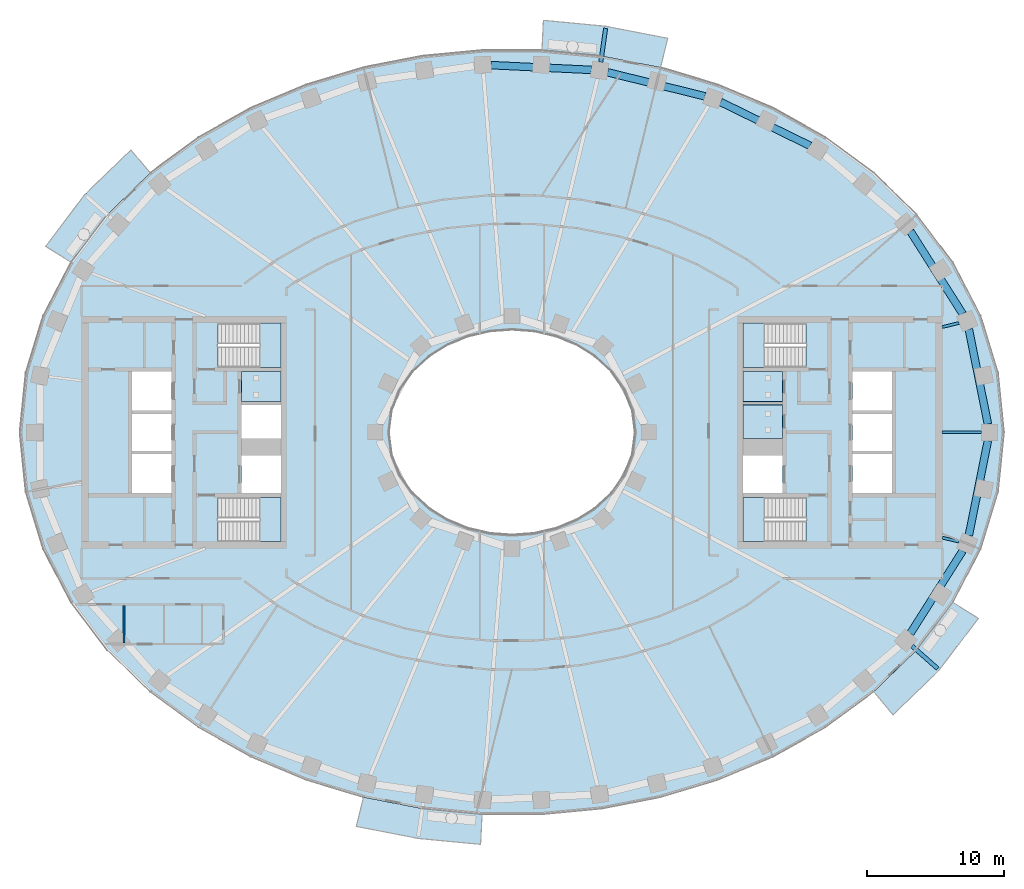
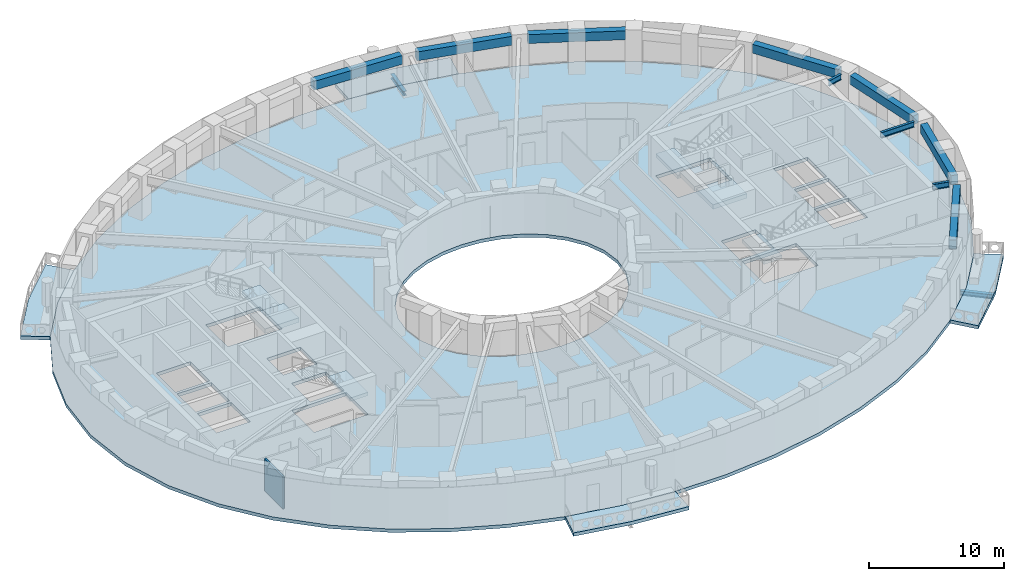
# One storey, part 2 of 16: 12 beams, 12 slabs, 1 wall, 4 elements without a shape of their own.
"""IFC4 building model written with IfcOpenShell, lengths in metres."""

from ifc_helpers import new_model, si_unit, direction, frame, frame_2d, origin, origin_2d, place, context, subcontext, project, spatial, polyline, rectangle, i_section, outline, extrude, material, layer, layer_set, material_profile, profile_set, type_object, element, aggregate, save


model = new_model("IFC4")

# Units and contexts
model_context = context("Model", 3, precision=1e-05, world=origin(), true_north=direction((0.0, 1.0)))
body_context = subcontext(model_context, "Body", "Model", "MODEL_VIEW")
ifc_project = project(units=[si_unit("LENGTHUNIT", "METRE"), si_unit("AREAUNIT", "SQUARE_METRE"), si_unit("VOLUMEUNIT", "CUBIC_METRE"), si_unit("PLANEANGLEUNIT", "RADIAN"), si_unit("MASSUNIT", "GRAM", prefix="KILO")], contexts=[model_context])

# Site, building, storey
site_placement = place(None, origin())
site = spatial("IfcSite", under=ifc_project, at=site_placement, CompositionType="ELEMENT")
building_placement = place(site_placement, origin())
building = spatial("IfcBuilding", under=site, at=building_placement, Name="Noorbagh Ring Tower", CompositionType="ELEMENT")
storey_placement = place(building_placement, frame((0.0, 0.0, 136.0)))
storey = spatial("IfcBuildingStorey", under=building, at=storey_placement, Name="L31", CompositionType="ELEMENT", Elevation=136.0)

# Beams
ifc_material_1 = material(Name="Steel S355", Category="steel")
ifc_material_profile_1 = material_profile(ifc_material_1, i_section(OverallWidth=0.300048828125, OverallDepth=0.39990234375, WebThickness=0.013427734375, FlangeThickness=0.02392578125, FilletRadius=0.027099609375, at=origin_2d()), Name="HEB400")
ifc_profile_set_1 = profile_set([ifc_material_profile_1], Name="Steel S355")
beam_type_1 = type_object("IfcBeamType", Name="STR-BALCONY-BRACKET-HEB400", PredefinedType="BEAM", material=ifc_profile_set_1)
beam_1_placement = place(storey_placement, frame((6.495849609375, 27.089599609375, -0.5), z_axis=(0.143035199344, 0.98971760202, 0.0), x_axis=(-0.98971760202, 0.143035199344, 0.0)))
element("IfcBeam", 1, at=beam_1_placement, inside=storey, type_object=beam_type_1, Name="Balcony bracket beam BN03", PredefinedType="BEAM", context=body_context, shape_type="SweptSolid", body=[
    extrude(i_section(OverallWidth=0.300048828125, OverallDepth=0.39990234375, WebThickness=0.013427734375, FlangeThickness=0.02392578125, FilletRadius=0.027099609375, at=origin_2d()), origin(), (0.0, 0.0, 1.0), 2.498779296875),
])
beam_2_placement = place(storey_placement, frame((29.27197265625, -15.63134765625, -0.5), z_axis=(0.749063543205, -0.662498157161, 0.0), x_axis=(0.662498157161, 0.749063543205, 0.0)))
element("IfcBeam", 2, at=beam_2_placement, inside=storey, type_object=beam_type_1, Name="Balcony bracket beam BS06", PredefinedType="BEAM", context=body_context, shape_type="SweptSolid", body=[
    extrude(i_section(OverallWidth=0.300048828125, OverallDepth=0.39990234375, WebThickness=0.013427734375, FlangeThickness=0.02392578125, FilletRadius=0.027099609375, at=origin_2d()), origin(), (0.0, 0.0, 1.0), 2.50439453125),
])
ifc_material_2 = material(Name="Steel S355", Category="steel")
ifc_material_profile_2 = material_profile(ifc_material_2, i_section(OverallWidth=0.199951171875, OverallDepth=0.5, WebThickness=0.01025390625, FlangeThickness=0.01611328125, FilletRadius=0.02099609375, at=origin_2d()), Name="IPE500")
ifc_profile_set_2 = profile_set([ifc_material_profile_2], Name="Steel S355")
beam_type_2 = type_object("IfcBeamType", Name="STR-RAD-IPE500", PredefinedType="BEAM", material=ifc_profile_set_2)
beam_3_placement = place(storey_placement, frame((34.339599609375, 0.0, 3.449951171875), z_axis=(-1.0, 0.0, 0.0), x_axis=(0.0, -1.0, 0.0)))
element("IfcBeam", 3, at=beam_3_placement, inside=storey, type_object=beam_type_2, Name="L31/bm/RD01", PredefinedType="BEAM", context=body_context, shape_type="SweptSolid", body=[
    extrude(i_section(OverallWidth=0.199951171875, OverallDepth=0.5, WebThickness=0.01025390625, FlangeThickness=0.01611328125, FilletRadius=0.02099609375, at=origin_2d()), origin(), (0.0, 0.0, 1.0), 2.859619140625),
])
for number, where, z_axis, x_axis, name in (
    (4, (32.710693359375, 8.00390625, 3.449951171875), (-0.971343647719, -0.237679443865, 0.0), (0.237679443865, -0.971343647719, 0.0), "L31/bm/RD03"),
    (5, (32.710693359375, -8.00390625, 3.449951171875), (-0.971343647719, 0.237679443865, 0.0), (-0.237679443865, -0.971343647719, 0.0), "L31/bm/RD45"),
):
    element("IfcBeam", number, at=place(storey_placement, frame(where, z_axis=z_axis, x_axis=x_axis)), inside=storey, type_object=beam_type_2, Name=name, PredefinedType="BEAM", context=body_context, shape_type="SweptSolid", body=[
        extrude(i_section(OverallWidth=0.199951171875, OverallDepth=0.5, WebThickness=0.01025390625, FlangeThickness=0.01611328125, FilletRadius=0.02099609375, at=origin_2d()), origin(), (0.0, 0.0, 1.0), 1.2666015625),
    ])
ifc_material_3 = material(Name="Concrete C40/50", Category="concrete")
ifc_material_profile_3 = material_profile(ifc_material_3, rectangle(XDim=0.550048828125, YDim=0.800048828125, at=origin_2d()), Name="RC550x800")
ifc_profile_set_3 = profile_set([ifc_material_profile_3], Name="Concrete C40/50")
beam_type_3 = type_object("IfcBeamType", Name="STR-SB-RC550x800-C40-50", PredefinedType="BEAM", material=ifc_profile_set_3)
beam_4_placement = place(storey_placement, frame((34.822998046875, 0.60546875, 3.300048828125), z_axis=(-0.197250205232, 0.98035317949, 0.0), x_axis=(-0.98035317949, -0.197250205232, 0.0)))
element("IfcBeam", 6, at=beam_4_placement, inside=storey, type_object=beam_type_3, Name="L31/bm/SP01", PredefinedType="BEAM", context=body_context, shape_type="SweptSolid", body=[
    extrude(rectangle(XDim=0.550048828125, YDim=0.800048828125, at=origin_2d()), origin(), (0.0, 0.0, 1.0), 7.07861328125),
])
beam_5_placement = place(storey_placement, frame((32.97607421875, 8.668701171875, 3.300048828125), z_axis=(-0.535178715716, 0.844738860385, 0.0), x_axis=(-0.844738860385, -0.535178715716, 0.0)))
element("IfcBeam", 7, at=beam_5_placement, inside=storey, type_object=beam_type_3, Name="L31/bm/SP03", PredefinedType="BEAM", context=body_context, shape_type="SweptSolid", body=[
    extrude(rectangle(XDim=0.550048828125, YDim=0.800048828125, at=origin_2d()), origin(), (0.0, 0.0, 1.0), 7.15478515625),
])
beam_6_placement = place(storey_placement, frame((21.814453125, 20.967529296875, 3.300048828125), z_axis=(-0.898391398986, 0.439195735667, 0.0), x_axis=(-0.439195735667, -0.898391398986, 0.0)))
element("IfcBeam", 8, at=beam_6_placement, inside=storey, type_object=beam_type_3, Name="L31/bm/SP07", PredefinedType="BEAM", context=body_context, shape_type="SweptSolid", body=[
    extrude(rectangle(XDim=0.550048828125, YDim=0.800048828125, at=origin_2d()), origin(), (0.0, 0.0, 1.0), 7.2998046875),
])
beam_7_placement = place(storey_placement, frame((14.118896484375, 24.586669921875, 3.300048828125), z_axis=(-0.970829859213, 0.239769440213, 0.0), x_axis=(-0.239769440213, -0.970829859213, 0.0)))
element("IfcBeam", 9, at=beam_7_placement, inside=storey, type_object=beam_type_3, Name="L31/bm/SP09", PredefinedType="BEAM", context=body_context, shape_type="SweptSolid", body=[
    extrude(rectangle(XDim=0.550048828125, YDim=0.800048828125, at=origin_2d()), origin(), (0.0, 0.0, 1.0), 7.333251953125),
])
beam_8_placement = place(storey_placement, frame((5.802001953125, 26.519775390625, 3.300048828125), z_axis=(-0.998868588799, 0.047555675902, 0.0), x_axis=(-0.047555675902, -0.998868588799, 0.0)))
element("IfcBeam", 10, at=beam_8_placement, inside=storey, type_object=beam_type_3, Name="L31/bm/SP11", PredefinedType="BEAM", context=body_context, shape_type="SweptSolid", body=[
    extrude(rectangle(XDim=0.550048828125, YDim=0.800048828125, at=origin_2d()), origin(), (0.0, 0.0, 1.0), 7.346435546875),
])
beam_9_placement = place(storey_placement, frame((29.14697265625, -14.712646484375, 3.300048828125), z_axis=(0.535178715716, 0.844738860385, 0.0), x_axis=(-0.844738860385, 0.535178715716, 0.0)))
element("IfcBeam", 11, at=beam_9_placement, inside=storey, type_object=beam_type_3, Name="L31/bm/SP43", PredefinedType="BEAM", context=body_context, shape_type="SweptSolid", body=[
    extrude(rectangle(XDim=0.550048828125, YDim=0.800048828125, at=origin_2d()), origin(), (0.0, 0.0, 1.0), 7.15478515625),
])
beam_10_placement = place(storey_placement, frame((33.4267578125, -7.544921875, 3.300048828125), z_axis=(0.197250205232, 0.98035317949, 0.0), x_axis=(-0.98035317949, 0.197250205232, 0.0)))
element("IfcBeam", 12, at=beam_10_placement, inside=storey, type_object=beam_type_3, Name="L31/bm/SP45", PredefinedType="BEAM", context=body_context, shape_type="SweptSolid", body=[
    extrude(rectangle(XDim=0.550048828125, YDim=0.800048828125, at=origin_2d()), origin(), (0.0, 0.0, 1.0), 7.07861328125),
])

# Slabs
ifc_material_4 = material(Name="Concrete C40/50", Category="concrete")
ifc_layer_1 = layer(ifc_material_4, 0.39990234375)
ifc_layer_set_1 = layer_set([ifc_layer_1], Name="Concrete C40/50")
slab_type_1 = type_object("IfcSlabType", Name="CORE-PIT-SLAB", PredefinedType="BASESLAB", material=ifc_layer_set_1)
slab_1_placement = place(storey_placement, frame((0.0, 0.0, 2.10009765625)))
element("IfcSlab", 13, at=slab_1_placement, inside=storey, type_object=slab_type_1, Name="Lift pit floor HR1", PredefinedType="BASESLAB", context=body_context, shape_type="SweptSolid", body=[
    extrude(outline(polyline([(-16.89990234375, 4.449951171875), (-19.800048828125, 4.449951171875), (-19.800048828125, 2.25), (-16.89990234375, 2.25), (-16.89990234375, 4.449951171875)])), origin(), (0.0, 0.0, 1.0), 0.39990234375),
])
slab_2_placement = place(storey_placement, frame((0.0, 0.0, 2.10009765625)))
element("IfcSlab", 14, at=slab_2_placement, inside=storey, type_object=slab_type_1, Name="Lift pit floor HR7", PredefinedType="BASESLAB", context=body_context, shape_type="SweptSolid", body=[
    extrude(outline(polyline([(16.89990234375, -0.449951171875), (19.800048828125, -0.449951171875), (19.800048828125, 2.0), (16.89990234375, 2.0), (16.89990234375, -0.449951171875)])), origin(), (0.0, 0.0, 1.0), 0.39990234375),
])
slab_3_placement = place(storey_placement, frame((0.0, 0.0, 2.10009765625)))
element("IfcSlab", 15, at=slab_3_placement, inside=storey, type_object=slab_type_1, Name="Lift pit floor HR8", PredefinedType="BASESLAB", context=body_context, shape_type="SweptSolid", body=[
    extrude(outline(polyline([(16.89990234375, 2.25), (19.800048828125, 2.25), (19.800048828125, 4.449951171875), (16.89990234375, 4.449951171875), (16.89990234375, 2.25)])), origin(), (0.0, 0.0, 1.0), 0.39990234375),
])

# Stair, slab
ifc_material_5 = material(Name="Concrete C40/50", Category="concrete")
stair_type = type_object("IfcStairType", Name="CORE-STAIR", PredefinedType="HALF_TURN_STAIR", material=ifc_material_5)
stair_1_placement = place(storey_placement, origin())
stair_1 = element("IfcStair", 16, at=stair_1_placement, inside=storey, type_object=stair_type, Name="L31 Exit stair ST1", PredefinedType="HALF_TURN_STAIR")
ifc_material_6 = material(Name="Concrete C40/50", Category="concrete")
ifc_layer_2 = layer(ifc_material_6, 0.300048828125)
ifc_layer_set_2 = layer_set([ifc_layer_2], Name="Concrete C40/50")
slab_type_2 = type_object("IfcSlabType", Name="CORE-STAIR-LANDING", PredefinedType="LANDING", material=ifc_layer_set_2)
slab_4_placement = place(storey_placement, frame((0.0, 0.0, 1.699951171875)))
slab_4 = element("IfcSlab", 17, at=slab_4_placement, type_object=slab_type_2, Name="ST1 landing 1", PredefinedType="LANDING", context=body_context, shape_type="SweptSolid", body=[
    extrude(outline(polyline([(-18.449951171875, 4.75), (-16.89990234375, 4.75), (-16.89990234375, 8.0), (-18.449951171875, 8.0), (-18.449951171875, 4.75)])), origin(), (0.0, 0.0, 1.0), 0.300048828125),
])
aggregate(stair_1, [slab_4])

stair_2_placement = place(storey_placement, origin())
stair_2 = element("IfcStair", 18, at=stair_2_placement, inside=storey, type_object=stair_type, Name="L31 Exit stair ST2", PredefinedType="HALF_TURN_STAIR")
slab_5_placement = place(storey_placement, frame((0.0, 0.0, 1.699951171875)))
slab_5 = element("IfcSlab", 19, at=slab_5_placement, type_object=slab_type_2, Name="ST2 landing 1", PredefinedType="LANDING", context=body_context, shape_type="SweptSolid", body=[
    extrude(outline(polyline([(-18.449951171875, -8.0), (-16.89990234375, -8.0), (-16.89990234375, -4.75), (-18.449951171875, -4.75), (-18.449951171875, -8.0)])), origin(), (0.0, 0.0, 1.0), 0.300048828125),
])
aggregate(stair_2, [slab_5])

stair_3_placement = place(storey_placement, origin())
stair_3 = element("IfcStair", 20, at=stair_3_placement, inside=storey, type_object=stair_type, Name="L31 Exit stair ST3", PredefinedType="HALF_TURN_STAIR")
slab_6_placement = place(storey_placement, frame((0.0, 0.0, 1.699951171875)))
slab_6 = element("IfcSlab", 21, at=slab_6_placement, type_object=slab_type_2, Name="ST3 landing 1", PredefinedType="LANDING", context=body_context, shape_type="SweptSolid", body=[
    extrude(outline(polyline([(18.449951171875, 8.0), (16.89990234375, 8.0), (16.89990234375, 4.75), (18.449951171875, 4.75), (18.449951171875, 8.0)])), origin(), (0.0, 0.0, 1.0), 0.300048828125),
])
aggregate(stair_3, [slab_6])

stair_4_placement = place(storey_placement, origin())
stair_4 = element("IfcStair", 22, at=stair_4_placement, inside=storey, type_object=stair_type, Name="L31 Exit stair ST4", PredefinedType="HALF_TURN_STAIR")
slab_7_placement = place(storey_placement, frame((0.0, 0.0, 1.699951171875)))
slab_7 = element("IfcSlab", 23, at=slab_7_placement, type_object=slab_type_2, Name="ST4 landing 1", PredefinedType="LANDING", context=body_context, shape_type="SweptSolid", body=[
    extrude(outline(polyline([(18.449951171875, -4.75), (16.89990234375, -4.75), (16.89990234375, -8.0), (18.449951171875, -8.0), (18.449951171875, -4.75)])), origin(), (0.0, 0.0, 1.0), 0.300048828125),
])
aggregate(stair_4, [slab_7])

# Slabs
ifc_material_7 = material(Name="Concrete C40/50", Category="concrete")
ifc_layer_3 = layer(ifc_material_7, 0.300048828125)
ifc_layer_set_3 = layer_set([ifc_layer_3], Name="Concrete C40/50")
slab_type_3 = type_object("IfcSlabType", Name="ENV-BALCONY DECK 300", PredefinedType="FLOOR", material=ifc_layer_set_3)
slab_8_placement = place(storey_placement, frame((0.0, 0.0, -0.300048828125)))
element("IfcSlab", 24, at=slab_8_placement, inside=storey, type_object=slab_type_3, Name="Tree balcony deck BN03", PredefinedType="FLOOR", context=body_context, shape_type="SweptSolid", body=[
    extrude(outline(polyline([(11.3935546875, 28.832763671875), (6.874755859375, 29.711181640625), (2.2978515625, 30.14794921875), (2.193115234375, 27.947998046875), (6.5595703125, 27.53125), (10.865234375, 26.6943359375), (11.3935546875, 28.832763671875)])), origin(), (0.0, 0.0, 1.0), 0.300048828125),
])
slab_9_placement = place(storey_placement, frame((0.0, 0.0, -0.300048828125)))
element("IfcSlab", 25, at=slab_9_placement, inside=storey, type_object=slab_type_3, Name="Tree balcony deck BN06", PredefinedType="FLOOR", context=body_context, shape_type="SweptSolid", body=[
    extrude(outline(polyline([(-27.888671875, 20.665771484375), (-31.26025390625, 17.389892578125), (-34.120361328125, 13.615966796875), (-32.255126953125, 12.434814453125), (-29.607666015625, 15.92822265625), (-26.463134765625, 18.983154296875), (-27.888671875, 20.665771484375)])), origin(), (0.0, 0.0, 1.0), 0.300048828125),
])
slab_10_placement = place(storey_placement, frame((0.0, 0.0, -0.300048828125)))
element("IfcSlab", 26, at=slab_10_placement, inside=storey, type_object=slab_type_3, Name="Tree balcony deck BS03", PredefinedType="FLOOR", context=body_context, shape_type="SweptSolid", body=[
    extrude(outline(polyline([(-11.3935546875, -28.832763671875), (-6.874755859375, -29.711181640625), (-2.2978515625, -30.14794921875), (-2.193115234375, -27.947998046875), (-6.5595703125, -27.53125), (-10.865234375, -26.6943359375), (-11.3935546875, -28.832763671875)])), origin(), (0.0, 0.0, 1.0), 0.300048828125),
])
slab_11_placement = place(storey_placement, frame((0.0, 0.0, -0.300048828125)))
element("IfcSlab", 27, at=slab_11_placement, inside=storey, type_object=slab_type_3, Name="Tree balcony deck BS06", PredefinedType="FLOOR", context=body_context, shape_type="SweptSolid", body=[
    extrude(outline(polyline([(27.888671875, -20.665771484375), (31.26025390625, -17.389892578125), (34.120361328125, -13.615966796875), (32.255126953125, -12.434814453125), (29.607666015625, -15.92822265625), (26.463134765625, -18.983154296875), (27.888671875, -20.665771484375)])), origin(), (0.0, 0.0, 1.0), 0.300048828125),
])
ifc_material_8 = material(Name="Concrete C40/50", Category="concrete")
ifc_layer_4 = layer(ifc_material_8, 0.300048828125)
ifc_layer_set_4 = layer_set([ifc_layer_4], Name="Concrete C40/50")
slab_type_4 = type_object("IfcSlabType", Name="STR-FLOOR-DECK-300", PredefinedType="FLOOR", material=ifc_layer_set_4)
slab_12_placement = place(storey_placement, frame((0.0, 0.0, -0.300048828125)))
element("IfcSlab", 28, at=slab_12_placement, inside=storey, type_object=slab_type_4, Name="L31/slab/1", PredefinedType="FLOOR", context=body_context, shape_type="SweptSolid", body=[
    extrude(outline(polyline([(36.0, 0.0), (35.56103515625, 4.358642578125), (34.281005859375, 8.548828125), (32.255126953125, 12.434814453125), (29.607666015625, 15.92822265625), (26.463134765625, 18.983154296875), (22.9326171875, 21.583740234375), (19.108154296875, 23.730224609375), (15.0654296875, 25.430419921875), (10.865234375, 26.6943359375), (6.5595703125, 27.53125), (2.193115234375, 27.947998046875), (-2.193115234375, 27.947998046875), (-6.5595703125, 27.53125), (-10.865234375, 26.6943359375), (-15.0654296875, 25.430419921875), (-19.108154296875, 23.730224609375), (-22.9326171875, 21.583740234375), (-26.463134765625, 18.983154296875), (-29.607666015625, 15.92822265625), (-32.255126953125, 12.434814453125), (-34.281005859375, 8.548828125), (-35.56103515625, 4.358642578125), (-36.0, 0.0), (-35.56103515625, -4.358642578125), (-34.281005859375, -8.548828125), (-32.255126953125, -12.434814453125), (-29.607666015625, -15.92822265625), (-26.463134765625, -18.983154296875), (-22.9326171875, -21.583740234375), (-19.108154296875, -23.730224609375), (-15.0654296875, -25.430419921875), (-10.865234375, -26.6943359375), (-6.5595703125, -27.53125), (-2.193115234375, -27.947998046875), (2.193115234375, -27.947998046875), (6.5595703125, -27.53125), (10.865234375, -26.6943359375), (15.0654296875, -25.430419921875), (19.108154296875, -23.730224609375), (22.9326171875, -21.583740234375), (26.463134765625, -18.983154296875), (29.607666015625, -15.92822265625), (32.255126953125, -12.434814453125), (34.281005859375, -8.548828125), (35.56103515625, -4.358642578125), (36.0, 0.0)]), holes=[polyline([(24.89990234375, -1.60009765625), (27.800048828125, -1.60009765625), (27.800048828125, -4.449951171875), (24.89990234375, -4.449951171875), (24.89990234375, -1.60009765625)]), polyline([(24.89990234375, 1.35009765625), (27.800048828125, 1.35009765625), (27.800048828125, -1.35009765625), (24.89990234375, -1.35009765625), (24.89990234375, 1.35009765625)]), polyline([(24.89990234375, 4.449951171875), (27.800048828125, 4.449951171875), (27.800048828125, 1.60009765625), (24.89990234375, 1.60009765625), (24.89990234375, 4.449951171875)]), polyline([(21.529541015625, -4.75), (21.529541015625, -8.0), (16.89990234375, -8.0), (16.89990234375, -4.75), (21.529541015625, -4.75)]), polyline([(21.529541015625, 4.75), (16.89990234375, 4.75), (16.89990234375, 8.0), (21.529541015625, 8.0), (21.529541015625, 4.75)]), polyline([(16.89990234375, -1.699951171875), (19.800048828125, -1.699951171875), (19.800048828125, -4.449951171875), (16.89990234375, -4.449951171875), (16.89990234375, -1.699951171875)]), polyline([(4.697509765625, -6.3974609375), (3.196533203125, -7.010986328125), (1.6171875, -7.3779296875), (0.0, -7.5), (-1.6171875, -7.3779296875), (-3.196533203125, -7.010986328125), (-4.697509765625, -6.3974609375), (-6.071044921875, -5.53662109375), (-7.2587890625, -4.43408203125), (-8.1904296875, -3.10888671875), (-8.79150390625, -1.605224609375), (-9.0, 0.0), (-8.79150390625, 1.605224609375), (-8.1904296875, 3.10888671875), (-7.2587890625, 4.43408203125), (-6.071044921875, 5.53662109375), (-4.697509765625, 6.3974609375), (-3.196533203125, 7.010986328125), (-1.6171875, 7.3779296875), (0.0, 7.5), (1.6171875, 7.3779296875), (3.196533203125, 7.010986328125), (4.697509765625, 6.3974609375), (6.071044921875, 5.53662109375), (7.2587890625, 4.43408203125), (8.1904296875, 3.10888671875), (8.79150390625, 1.605224609375), (9.0, 0.0), (8.79150390625, -1.605224609375), (8.1904296875, -3.10888671875), (7.2587890625, -4.43408203125), (6.071044921875, -5.53662109375), (4.697509765625, -6.3974609375)]), polyline([(-21.529541015625, -8.0), (-21.529541015625, -4.75), (-16.89990234375, -4.75), (-16.89990234375, -8.0), (-21.529541015625, -8.0)]), polyline([(-21.529541015625, 8.0), (-16.89990234375, 8.0), (-16.89990234375, 4.75), (-21.529541015625, 4.75), (-21.529541015625, 8.0)]), polyline([(-16.89990234375, -4.449951171875), (-19.800048828125, -4.449951171875), (-19.800048828125, -1.699951171875), (-16.89990234375, -1.699951171875), (-16.89990234375, -4.449951171875)]), polyline([(-16.89990234375, -0.449951171875), (-19.800048828125, -0.449951171875), (-19.800048828125, 2.0), (-16.89990234375, 2.0), (-16.89990234375, -0.449951171875)]), polyline([(-24.89990234375, -4.449951171875), (-27.800048828125, -4.449951171875), (-27.800048828125, -1.60009765625), (-24.89990234375, -1.60009765625), (-24.89990234375, -4.449951171875)]), polyline([(-24.89990234375, -1.35009765625), (-27.800048828125, -1.35009765625), (-27.800048828125, 1.35009765625), (-24.89990234375, 1.35009765625), (-24.89990234375, -1.35009765625)]), polyline([(-24.89990234375, 1.60009765625), (-27.800048828125, 1.60009765625), (-27.800048828125, 4.449951171875), (-24.89990234375, 4.449951171875), (-24.89990234375, 1.60009765625)])]), origin(), (0.0, 0.0, 1.0), 0.300048828125),
])

# Wall
ifc_material_9 = material(Name="Gypsum board on steel studs", Category="steel")
ifc_layer_5 = layer(ifc_material_9, 0.14990234375)
ifc_layer_set_5 = layer_set([ifc_layer_5], Name="Gypsum board on steel studs")
wall_type = type_object("IfcWallType", Name="CORRIDOR PARTITION 150 EI 30", PredefinedType="PARTITIONING", material=ifc_layer_set_5)
wall_placement = place(storey_placement, frame((-28.389892578125, -15.425048828125, 0.0), z_axis=(0.0, 0.0, 1.0), x_axis=(0.0, 1.0, 0.0)))
element("IfcWall", 29, at=wall_placement, inside=storey, type_object=wall_type, Name="L31/wall/P08", PredefinedType="PARTITIONING", context=body_context, shape_type="SweptSolid", body=[
    extrude(rectangle(XDim=2.75, YDim=0.14990234375, at=frame_2d((1.375, 0.0))), origin(), (0.0, 0.0, 1.0), 2.89990234375),
])

save(model, "model.ifc")
